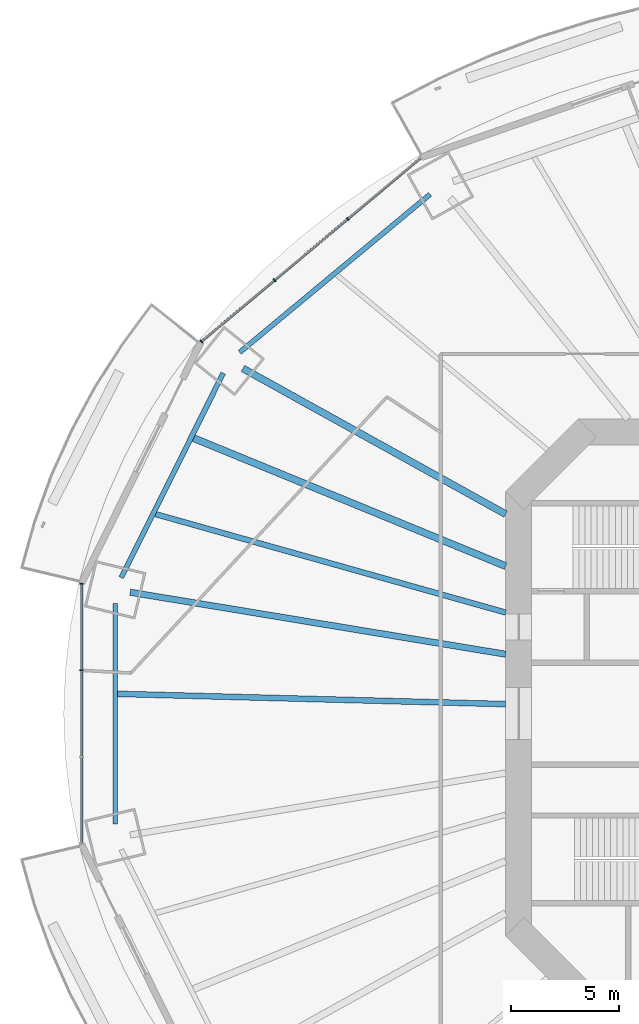
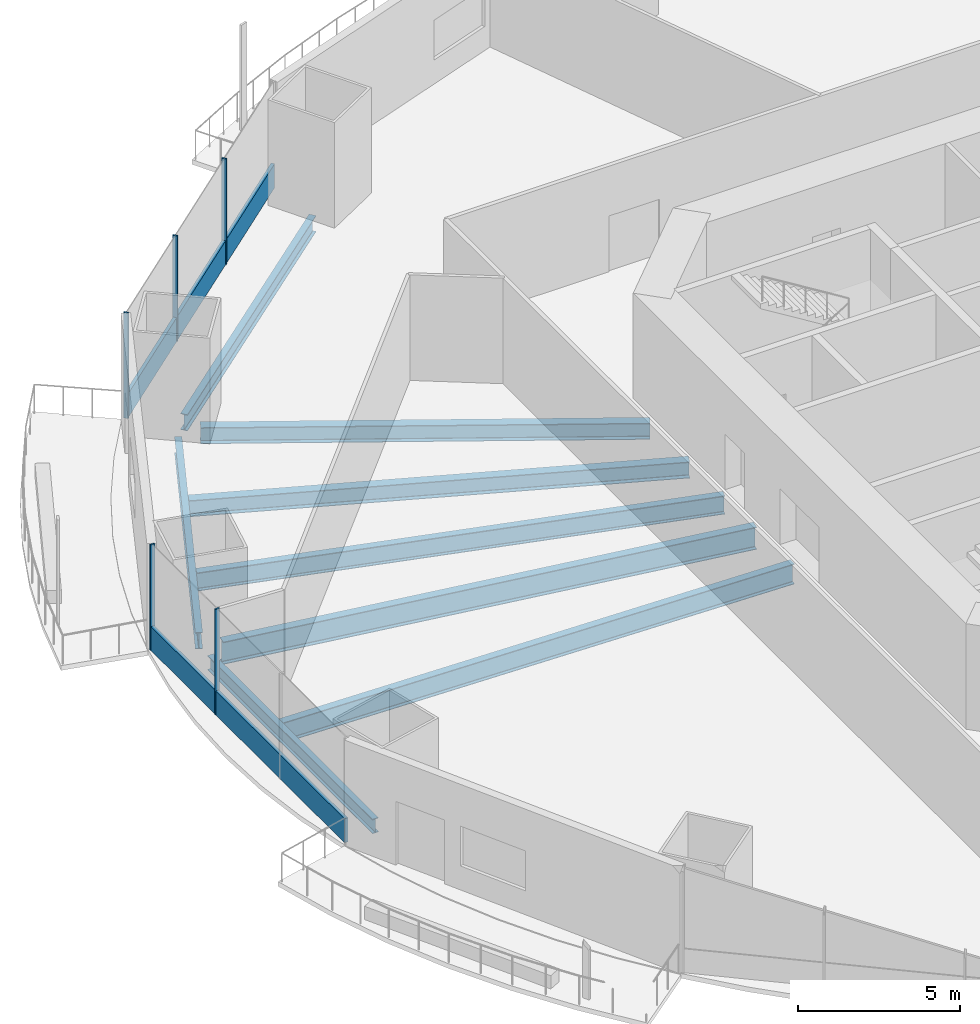
# One storey, part 6 of 23: 8 beams, 7 members, 2 elements without a shape of their own.
"""IFC4 building model written with IfcOpenShell, lengths in metres."""

from ifc_helpers import new_model, si_unit, direction, frame, origin, origin_2d, place, context, subcontext, project, spatial, rectangle, i_section, extrude, material, material_profile, profile_set, type_object, element, aggregate, save


model = new_model("IFC4")

# Units and contexts
model_context = context("Model", 3, precision=1e-05, world=origin(), true_north=direction((0.0, 1.0)))
body_context = subcontext(model_context, "Body", "Model", "MODEL_VIEW")
ifc_project = project(units=[si_unit("LENGTHUNIT", "METRE"), si_unit("AREAUNIT", "SQUARE_METRE"), si_unit("VOLUMEUNIT", "CUBIC_METRE"), si_unit("PLANEANGLEUNIT", "RADIAN"), si_unit("MASSUNIT", "GRAM", prefix="KILO")], contexts=[model_context])

# Site, building, storey
site_placement = place(None, origin())
site = spatial("IfcSite", under=ifc_project, at=site_placement, CompositionType="ELEMENT")
building_placement = place(site_placement, origin())
building = spatial("IfcBuilding", under=site, at=building_placement, Name="Marenthal Gate Tower", CompositionType="ELEMENT")
storey_placement = place(building_placement, frame((0.0, 0.0, 41.300048828125)))
storey = spatial("IfcBuildingStorey", under=building, at=storey_placement, Name="L06", CompositionType="ELEMENT", Elevation=41.300048828125)

# Curtain wall, members
ifc_material_1 = material(Name="Aluminium and glass", Category="aluminium")
curtain_wall_type = type_object("IfcCurtainWallType", Name="Curtain wall typical low", PredefinedType="NOTDEFINED", material=ifc_material_1)
curtain_wall_1_placement = place(storey_placement, origin())
curtain_wall_1 = element("IfcCurtainWall", 1, at=curtain_wall_1_placement, inside=storey, type_object=curtain_wall_type, Name="Curtain wall L06 bay 6", PredefinedType="NOTDEFINED")
ifc_material_2 = material(Name="Aluminium", Category="aluminium")
ifc_material_profile_1 = material_profile(ifc_material_2, rectangle(XDim=0.159912109375, YDim=0.06005859375, at=origin_2d()), Name="60x160 aluminium mullion")
ifc_profile_set_1 = profile_set([ifc_material_profile_1], Name="Aluminium")
member_type_1 = type_object("IfcMemberType", Name="Mullion 60x160 typical low", PredefinedType="MULLION", material=ifc_profile_set_1)
member_1_placement = place(storey_placement, frame((-23.888916015625, 22.829345703125, 0.0), z_axis=(0.0, 0.0, 1.0), x_axis=(0.641982192245, -0.76671954771, 0.0)))
member_1 = element("IfcMember", 2, at=member_1_placement, type_object=member_type_1, Name="Mullion L06 bay 6.2", PredefinedType="MULLION", context=body_context, shape_type="SweptSolid", body=[
    extrude(rectangle(XDim=0.159912109375, YDim=0.06005859375, at=origin_2d()), origin(), (0.0, 0.0, 1.0), 3.969970703125),
])
member_2_placement = place(storey_placement, frame((-27.26513671875, 20.00244140625, 0.0), z_axis=(0.0, 0.0, 1.0), x_axis=(0.641982192245, -0.76671954771, 0.0)))
member_2 = element("IfcMember", 3, at=member_2_placement, type_object=member_type_1, Name="Mullion L06 bay 6.3", PredefinedType="MULLION", context=body_context, shape_type="SweptSolid", body=[
    extrude(rectangle(XDim=0.159912109375, YDim=0.06005859375, at=origin_2d()), origin(), (0.0, 0.0, 1.0), 3.969970703125),
])
member_3_placement = place(storey_placement, frame((-30.6416015625, 17.17529296875, 0.0), z_axis=(0.0, 0.0, 1.0), x_axis=(0.641982192245, -0.76671954771, 0.0)))
member_3 = element("IfcMember", 4, at=member_3_placement, type_object=member_type_1, Name="Mullion L06 bay 6.4", PredefinedType="MULLION", context=body_context, shape_type="SweptSolid", body=[
    extrude(rectangle(XDim=0.159912109375, YDim=0.06005859375, at=origin_2d()), origin(), (0.0, 0.0, 1.0), 3.969970703125),
])

curtain_wall_2_placement = place(storey_placement, origin())
curtain_wall_2 = element("IfcCurtainWall", 5, at=curtain_wall_2_placement, inside=storey, type_object=curtain_wall_type, Name="Curtain wall L06 bay 8", PredefinedType="NOTDEFINED")
member_4_placement = place(storey_placement, frame((-36.17138671875, 5.994384765625, 0.0), z_axis=(0.0, 0.0, 1.0), x_axis=(1.0, 0.0, 0.0)))
member_4 = element("IfcMember", 6, at=member_4_placement, type_object=member_type_1, Name="Mullion L06 bay 8.1", PredefinedType="MULLION", context=body_context, shape_type="SweptSolid", body=[
    extrude(rectangle(XDim=0.159912109375, YDim=0.06005859375, at=origin_2d()), origin(), (0.0, 0.0, 1.0), 3.969970703125),
])
member_5_placement = place(storey_placement, frame((-36.17138671875, 1.998046875, 0.0), z_axis=(0.0, 0.0, 1.0), x_axis=(1.0, 0.0, 0.0)))
member_5 = element("IfcMember", 7, at=member_5_placement, type_object=member_type_1, Name="Mullion L06 bay 8.2", PredefinedType="MULLION", context=body_context, shape_type="SweptSolid", body=[
    extrude(rectangle(XDim=0.159912109375, YDim=0.06005859375, at=origin_2d()), origin(), (0.0, 0.0, 1.0), 3.969970703125),
])

# Member
ifc_material_3 = material(Name="Aluminium", Category="aluminium")
ifc_material_profile_2 = material_profile(ifc_material_3, rectangle(XDim=0.1201171875, YDim=0.89990234375, at=origin_2d()), Name="120x900 aluminium transom")
ifc_profile_set_2 = profile_set([ifc_material_profile_2], Name="Aluminium")
member_type_2 = type_object("IfcMemberType", Name="Transom 120x900 typical low", PredefinedType="USERDEFINED", material=ifc_profile_set_2)
member_6_placement = place(storey_placement, frame((-20.535400390625, 25.63720703125, 0.449951171875), z_axis=(-0.766726434385, -0.641973967397, 0.0), x_axis=(0.641973967397, -0.766726434385, 0.0)))
member_6 = element("IfcMember", 8, at=member_6_placement, type_object=member_type_2, Name="Transom L06 bay 6", ObjectType="TRANSOM", PredefinedType="USERDEFINED", context=body_context, shape_type="SweptSolid", body=[
    extrude(rectangle(XDim=0.1201171875, YDim=0.89990234375, at=origin_2d()), origin(), (0.0, 0.0, 1.0), 13.151123046875),
])

aggregate(curtain_wall_1, [member_1, member_2, member_3, member_6])

member_7_placement = place(storey_placement, frame((-36.17138671875, 5.96435546875, 0.449951171875), z_axis=(0.0, -1.0, 0.0), x_axis=(1.0, 0.0, 0.0)))
member_7 = element("IfcMember", 9, at=member_7_placement, type_object=member_type_2, Name="Transom L06 bay 8", ObjectType="TRANSOM", PredefinedType="USERDEFINED", context=body_context, shape_type="SweptSolid", body=[
    extrude(rectangle(XDim=0.1201171875, YDim=0.89990234375, at=origin_2d()), origin(), (0.0, 0.0, 1.0), 11.9287109375),
])

aggregate(curtain_wall_2, [member_4, member_5, member_7])

# Beams
ifc_material_4 = material(Name="Steel S355", Category="steel")
ifc_material_profile_3 = material_profile(ifc_material_4, i_section(OverallWidth=0.2119140625, OverallDepth=0.5439453125, WebThickness=0.01318359375, FlangeThickness=0.021240234375, FilletRadius=0.0126953125, at=origin_2d()), Name="W530X123")
ifc_profile_set_3 = profile_set([ifc_material_profile_3], Name="Steel S355")
beam_type_1 = type_object("IfcBeamType", Name="W530X123 beam", PredefinedType="BEAM", material=ifc_profile_set_3)
beam_1_placement = place(storey_placement, frame((-34.62158203125, 5.0849609375, -0.4521484375), z_axis=(0.0, -1.0, 0.0), x_axis=(1.0, 0.0, 0.0)))
element("IfcBeam", 10, at=beam_1_placement, inside=storey, type_object=beam_type_1, Name="BM-L06-48", PredefinedType="BEAM", context=body_context, shape_type="SweptSolid", body=[
    extrude(i_section(OverallWidth=0.2119140625, OverallDepth=0.5439453125, WebThickness=0.01318359375, FlangeThickness=0.021240234375, FilletRadius=0.0126953125, at=origin_2d()), origin(), (0.0, 0.0, 1.0), 10.169921875),
])
ifc_material_5 = material(Name="Steel S355", Category="steel")
ifc_material_profile_4 = material_profile(ifc_material_5, i_section(OverallWidth=0.22900390625, OverallDepth=0.612060546875, WebThickness=0.011962890625, FlangeThickness=0.01953125, FilletRadius=0.0126953125, at=origin_2d()), Name="W610X125")
ifc_profile_set_4 = profile_set([ifc_material_profile_4], Name="Steel S355")
beam_type_2 = type_object("IfcBeamType", Name="W610X125 beam", PredefinedType="BEAM", material=ifc_profile_set_4)
beam_2_placement = place(storey_placement, frame((-20.088134765625, 23.966552734375, -0.486083984375), z_axis=(-0.769467989353, -0.63868537901, 0.0), x_axis=(0.63868537901, -0.769467989353, 0.0)))
element("IfcBeam", 11, at=beam_2_placement, inside=storey, type_object=beam_type_2, Name="BM-L06-46", PredefinedType="BEAM", context=body_context, shape_type="SweptSolid", body=[
    extrude(i_section(OverallWidth=0.22900390625, OverallDepth=0.612060546875, WebThickness=0.011962890625, FlangeThickness=0.01953125, FilletRadius=0.0126953125, at=origin_2d()), origin(), (0.0, 0.0, 1.0), 11.415283203125),
])
beam_3_placement = place(storey_placement, frame((-29.63037109375, 15.71826171875, -0.486083984375), z_axis=(-0.446519173672, -0.894774065082, 0.0), x_axis=(0.894774065082, -0.446519173672, 0.0)))
element("IfcBeam", 12, at=beam_3_placement, inside=storey, type_object=beam_type_2, Name="BM-L06-47", PredefinedType="BEAM", context=body_context, shape_type="SweptSolid", body=[
    extrude(i_section(OverallWidth=0.22900390625, OverallDepth=0.612060546875, WebThickness=0.011962890625, FlangeThickness=0.01953125, FilletRadius=0.0126953125, at=origin_2d()), origin(), (0.0, 0.0, 1.0), 10.54931640625),
])
ifc_material_6 = material(Name="Steel S355", Category="steel")
ifc_material_profile_5 = material_profile(ifc_material_6, i_section(OverallWidth=0.324951171875, OverallDepth=0.612060546875, WebThickness=0.0126953125, FlangeThickness=0.01904296875, FilletRadius=0.0126953125, at=origin_2d()), Name="W610X155")
ifc_profile_set_5 = profile_set([ifc_material_profile_5], Name="Steel S355")
beam_type_3 = type_object("IfcBeamType", Name="W610X155 beam", PredefinedType="BEAM", material=ifc_profile_set_5)
beam_4_placement = place(storey_placement, frame((-28.72314453125, 15.929931640625, -0.486083984375), z_axis=(0.874513423091, -0.485001312198, 0.0), x_axis=(0.485001312198, 0.874513423091, 0.0)))
element("IfcBeam", 13, at=beam_4_placement, inside=storey, type_object=beam_type_3, Name="BM-L06-07", PredefinedType="BEAM", context=body_context, shape_type="SweptSolid", body=[
    extrude(i_section(OverallWidth=0.324951171875, OverallDepth=0.612060546875, WebThickness=0.0126953125, FlangeThickness=0.01904296875, FilletRadius=0.0126953125, at=origin_2d()), origin(), (0.0, 0.0, 1.0), 13.862548828125),
])
beam_5_placement = place(storey_placement, frame((-31.001708984375, 12.7138671875, -0.486083984375), z_axis=(0.925221568218, -0.379427265367, 0.0), x_axis=(0.379427265367, 0.925221568218, 0.0)))
element("IfcBeam", 14, at=beam_5_placement, inside=storey, type_object=beam_type_3, Name="BM-L06-26", PredefinedType="BEAM", context=body_context, shape_type="SweptSolid", body=[
    extrude(i_section(OverallWidth=0.324951171875, OverallDepth=0.612060546875, WebThickness=0.0126953125, FlangeThickness=0.01904296875, FilletRadius=0.0126953125, at=origin_2d()), origin(), (0.0, 0.0, 1.0), 15.565673828125),
])
ifc_material_7 = material(Name="Steel S355", Category="steel")
ifc_material_profile_6 = material_profile(ifc_material_7, i_section(OverallWidth=0.257080078125, OverallDepth=0.693115234375, WebThickness=0.014404296875, FlangeThickness=0.023681640625, FilletRadius=0.015380859375, at=origin_2d()), Name="W690X170")
ifc_profile_set_6 = profile_set([ifc_material_profile_6], Name="Steel S355")
beam_type_4 = type_object("IfcBeamType", Name="W690X170 beam", PredefinedType="BEAM", material=ifc_profile_set_6)
beam_6_placement = place(storey_placement, frame((-32.75244140625, 9.205322265625, -0.526611328125), z_axis=(0.962698331576, -0.270577017467, 0.0), x_axis=(0.270577017467, 0.962698331576, 0.0)))
element("IfcBeam", 15, at=beam_6_placement, inside=storey, type_object=beam_type_4, Name="BM-L06-27", PredefinedType="BEAM", context=body_context, shape_type="SweptSolid", body=[
    extrude(i_section(OverallWidth=0.257080078125, OverallDepth=0.693115234375, WebThickness=0.014404296875, FlangeThickness=0.023681640625, FilletRadius=0.015380859375, at=origin_2d()), origin(), (0.0, 0.0, 1.0), 16.7783203125),
])
ifc_material_8 = material(Name="Steel S355", Category="steel")
ifc_material_profile_7 = material_profile(ifc_material_8, i_section(OverallWidth=0.26708984375, OverallDepth=0.761962890625, WebThickness=0.014404296875, FlangeThickness=0.021484375, FilletRadius=0.0166015625, at=origin_2d()), Name="W760X173")
ifc_profile_set_7 = profile_set([ifc_material_profile_7], Name="Steel S355")
beam_type_5 = type_object("IfcBeamType", Name="W760X173 beam", PredefinedType="BEAM", material=ifc_profile_set_7)
beam_7_placement = place(storey_placement, frame((-34.515625, 0.911865234375, -0.56103515625), z_axis=(0.999651085361, -0.026414154078, 0.0), x_axis=(0.026414154078, 0.999651085361, 0.0)))
element("IfcBeam", 16, at=beam_7_placement, inside=storey, type_object=beam_type_5, Name="BM-L06-28", PredefinedType="BEAM", context=body_context, shape_type="SweptSolid", body=[
    extrude(i_section(OverallWidth=0.26708984375, OverallDepth=0.761962890625, WebThickness=0.014404296875, FlangeThickness=0.021484375, FilletRadius=0.0166015625, at=origin_2d()), origin(), (0.0, 0.0, 1.0), 17.921875),
])
ifc_material_9 = material(Name="Steel S355", Category="steel")
ifc_material_profile_8 = material_profile(ifc_material_9, i_section(OverallWidth=0.2919921875, OverallDepth=0.841064453125, WebThickness=0.0146484375, FlangeThickness=0.021728515625, FilletRadius=0.017822265625, at=origin_2d()), Name="W840X193")
ifc_profile_set_8 = profile_set([ifc_material_profile_8], Name="Steel S355")
beam_type_6 = type_object("IfcBeamType", Name="W840X193 beam", PredefinedType="BEAM", material=ifc_profile_set_8)
beam_8_placement = place(storey_placement, frame((-33.927978515625, 5.6015625, -0.6005859375), z_axis=(0.986643376601, -0.162895203762, 0.0), x_axis=(0.162895203762, 0.986643376601, 0.0)))
element("IfcBeam", 17, at=beam_8_placement, inside=storey, type_object=beam_type_6, Name="BM-L06-08", PredefinedType="BEAM", context=body_context, shape_type="SweptSolid", body=[
    extrude(i_section(OverallWidth=0.2919921875, OverallDepth=0.841064453125, WebThickness=0.0146484375, FlangeThickness=0.021728515625, FilletRadius=0.017822265625, at=origin_2d()), origin(), (0.0, 0.0, 1.0), 17.5625),
])

save(model, "model.ifc")
